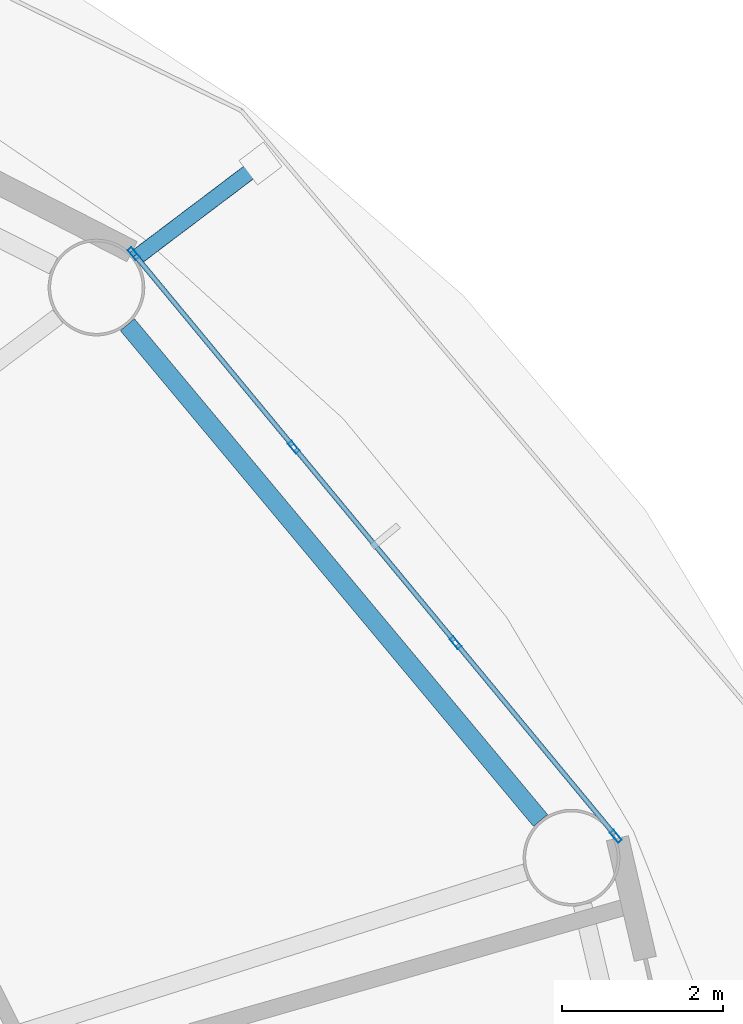
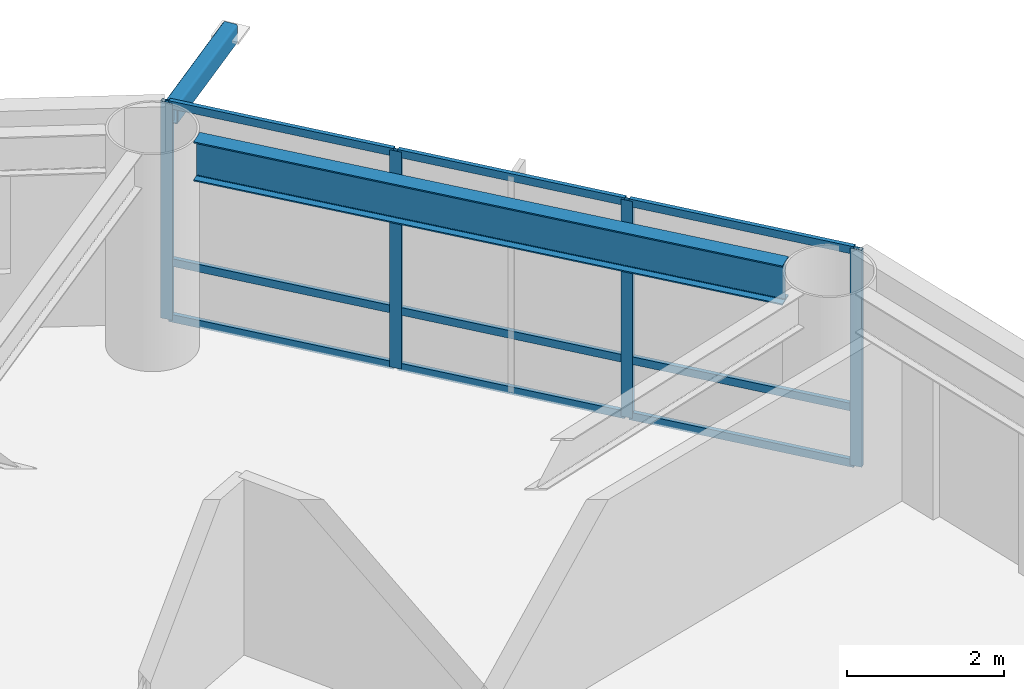
# One storey, part 12 of 24: 14 members, 1 beam, 1 element without a shape of its own.
"""IFC4 building model written with IfcOpenShell, lengths in metres."""

from ifc_helpers import new_model, si_unit, direction, frame, origin, origin_2d, place, context, subcontext, project, spatial, hollow_rectangle, i_section, extrude, material, layer, layer_set, material_profile, profile_set, type_object, element, aggregate, save


model = new_model("IFC4")

# Units and contexts
model_context = context("Model", 3, precision=1e-05, world=origin(), true_north=direction((0.0, 1.0)))
body_context = subcontext(model_context, "Body", "Model", "MODEL_VIEW")
ifc_project = project(units=[si_unit("LENGTHUNIT", "METRE"), si_unit("AREAUNIT", "SQUARE_METRE"), si_unit("VOLUMEUNIT", "CUBIC_METRE"), si_unit("PLANEANGLEUNIT", "RADIAN"), si_unit("MASSUNIT", "GRAM", prefix="KILO")], contexts=[model_context])

# Site, building, storey
site_placement = place(None, origin())
site = spatial("IfcSite", under=ifc_project, at=site_placement, CompositionType="ELEMENT")
building_placement = place(site_placement, origin())
building = spatial("IfcBuilding", under=site, at=building_placement, Name="Sarneth Arch Tower", CompositionType="ELEMENT")
storey_placement = place(building_placement, frame((0.0, 0.0, 98.39990234375)))
storey = spatial("IfcBuildingStorey", under=building, at=storey_placement, Name="L24", CompositionType="ELEMENT", Elevation=98.39990234375)

# Beam
ifc_material_1 = material(Name="Steel S355", Category="steel")
ifc_material_profile_1 = material_profile(ifc_material_1, i_section(OverallWidth=0.22900390625, OverallDepth=0.612060546875, WebThickness=0.011962890625, FlangeThickness=0.01953125, FilletRadius=0.01904296875, at=origin_2d()), Name="W610x125")
ifc_profile_set_1 = profile_set([ifc_material_profile_1], Name="Steel S355")
beam_type = type_object("IfcBeamType", Name="BM-SPAN-610C", PredefinedType="SPANDREL", material=ifc_profile_set_1)
beam_placement = place(storey_placement, frame((73.906982421875, 50.803466796875, 3.07421875), z_axis=(-0.640163403463, 0.768238775946, 0.0), x_axis=(-0.768238775946, -0.640163403463, 0.0)))
element("IfcBeam", 1, at=beam_placement, inside=storey, type_object=beam_type, Name="L24 Perimeter spandrel beam 02", PredefinedType="SPANDREL", context=body_context, shape_type="SweptSolid", body=[
    extrude(i_section(OverallWidth=0.22900390625, OverallDepth=0.612060546875, WebThickness=0.011962890625, FlangeThickness=0.01953125, FilletRadius=0.01904296875, at=origin_2d()), origin(), (0.0, 0.0, 1.0), 8.006103515625),
])

# Curtain wall, members
ifc_material_2 = material(Name="Anodised aluminium Type AA25 and solar-control low-e laminated IGU", Category="aluminium")
ifc_layer = layer(ifc_material_2, 0.159912109375)
ifc_layer_set = layer_set([ifc_layer], Name="Anodised aluminium Type AA25 and solar-control low-e laminated IGU")
curtain_wall_type = type_object("IfcCurtainWallType", Name="CW-HOTEL-MID", PredefinedType="NOTDEFINED", material=ifc_layer_set)
curtain_wall_placement = place(storey_placement, origin())
curtain_wall = element("IfcCurtainWall", 2, at=curtain_wall_placement, inside=storey, type_object=curtain_wall_type, Name="L24 Unitised curtain wall facet 02", PredefinedType="NOTDEFINED")
ifc_material_3 = material(Name="Anodised Aluminium 6063-T6", Category="aluminium")
ifc_material_profile_2 = material_profile(ifc_material_3, hollow_rectangle(XDim=0.06005859375, YDim=0.159912109375, WallThickness=0.00390625, at=origin_2d()), Name="AL-MULL-160x60x4")
ifc_profile_set_2 = profile_set([ifc_material_profile_2], Name="Anodised Aluminium 6063-T6")
member_type_1 = type_object("IfcMemberType", Name="CW-MULLION", PredefinedType="MULLION", material=ifc_profile_set_2)
member_1_placement = place(storey_placement, frame((74.84228515625, 50.606689453125, 0.0), z_axis=(0.0, 0.0, 1.0), x_axis=(-0.770437787363, -0.637515188684, 0.0)))
member_1 = element("IfcMember", 3, at=member_1_placement, type_object=member_type_1, Name="CW-SYS-4 mullion 1", PredefinedType="MULLION", context=body_context, shape_type="SweptSolid", body=[
    extrude(hollow_rectangle(XDim=0.06005859375, YDim=0.159912109375, WallThickness=0.00390625, at=origin_2d()), origin(), (0.0, 0.0, 1.0), 3.380126953125),
])
member_2_placement = place(storey_placement, frame((72.854248046875, 53.00927734375, 0.0), z_axis=(0.0, 0.0, 1.0), x_axis=(-0.770437787363, -0.637515188684, 0.0)))
member_2 = element("IfcMember", 4, at=member_2_placement, type_object=member_type_1, Name="CW-SYS-4 mullion 2", PredefinedType="MULLION", context=body_context, shape_type="SweptSolid", body=[
    extrude(hollow_rectangle(XDim=0.06005859375, YDim=0.159912109375, WallThickness=0.00390625, at=origin_2d()), origin(), (0.0, 0.0, 1.0), 3.380126953125),
])
member_3_placement = place(storey_placement, frame((70.84716796875, 55.434814453125, 0.0), z_axis=(0.0, 0.0, 1.0), x_axis=(-0.770437787363, -0.637515188684, 0.0)))
member_3 = element("IfcMember", 5, at=member_3_placement, type_object=member_type_1, Name="CW-SYS-4 mullion 3", PredefinedType="MULLION", context=body_context, shape_type="SweptSolid", body=[
    extrude(hollow_rectangle(XDim=0.06005859375, YDim=0.159912109375, WallThickness=0.00390625, at=origin_2d()), origin(), (0.0, 0.0, 1.0), 3.380126953125),
])
member_4_placement = place(storey_placement, frame((68.859130859375, 57.83740234375, 0.0), z_axis=(0.0, 0.0, 1.0), x_axis=(-0.770437787363, -0.637515188684, 0.0)))
member_4 = element("IfcMember", 6, at=member_4_placement, type_object=member_type_1, Name="CW-SYS-4 mullion 4", PredefinedType="MULLION", context=body_context, shape_type="SweptSolid", body=[
    extrude(hollow_rectangle(XDim=0.06005859375, YDim=0.159912109375, WallThickness=0.00390625, at=origin_2d()), origin(), (0.0, 0.0, 1.0), 3.380126953125),
])
ifc_material_4 = material(Name="Anodised Aluminium 6063-T6", Category="aluminium")
ifc_material_profile_3 = material_profile(ifc_material_4, hollow_rectangle(XDim=0.06005859375, YDim=0.1201171875, WallThickness=0.00390625, at=origin_2d()), Name="AL-TRAN-120x60x4")
ifc_profile_set_3 = profile_set([ifc_material_profile_3], Name="Anodised Aluminium 6063-T6")
member_type_2 = type_object("IfcMemberType", Name="CW-TRANSOM", PredefinedType="USERDEFINED", material=ifc_profile_set_3)
member_5_placement = place(storey_placement, frame((74.8232421875, 50.6298828125, 0.030029296875), z_axis=(-0.637566080343, 0.770395673142, 0.0), x_axis=(-0.770395673142, -0.637566080343, 0.0)))
member_5 = element("IfcMember", 7, at=member_5_placement, type_object=member_type_2, Name="CW-SYS-4 transom 1.1", ObjectType="TRANSOM", PredefinedType="USERDEFINED", context=body_context, shape_type="SweptSolid", body=[
    extrude(hollow_rectangle(XDim=0.06005859375, YDim=0.1201171875, WallThickness=0.00390625, at=origin_2d()), origin(), (0.0, 0.0, 1.0), 3.058349609375),
])
member_6_placement = place(storey_placement, frame((74.8232421875, 50.6298828125, 0.900146484375), z_axis=(-0.637566080343, 0.770395673142, 0.0), x_axis=(-0.770395673142, -0.637566080343, 0.0)))
member_6 = element("IfcMember", 8, at=member_6_placement, type_object=member_type_2, Name="CW-SYS-4 transom 1.2", ObjectType="TRANSOM", PredefinedType="USERDEFINED", context=body_context, shape_type="SweptSolid", body=[
    extrude(hollow_rectangle(XDim=0.06005859375, YDim=0.1201171875, WallThickness=0.00390625, at=origin_2d()), origin(), (0.0, 0.0, 1.0), 3.058349609375),
])
member_7_placement = place(storey_placement, frame((74.8232421875, 50.6298828125, 3.35009765625), z_axis=(-0.637566080343, 0.770395673142, 0.0), x_axis=(-0.770395673142, -0.637566080343, 0.0)))
member_7 = element("IfcMember", 9, at=member_7_placement, type_object=member_type_2, Name="CW-SYS-4 transom 1.3", ObjectType="TRANSOM", PredefinedType="USERDEFINED", context=body_context, shape_type="SweptSolid", body=[
    extrude(hollow_rectangle(XDim=0.06005859375, YDim=0.1201171875, WallThickness=0.00390625, at=origin_2d()), origin(), (0.0, 0.0, 1.0), 3.058349609375),
])
member_8_placement = place(storey_placement, frame((72.835205078125, 53.0322265625, 0.030029296875), z_axis=(-0.637536975021, 0.770419759275, 0.0), x_axis=(-0.770419759275, -0.637536975021, 0.0)))
member_8 = element("IfcMember", 10, at=member_8_placement, type_object=member_type_2, Name="CW-SYS-4 transom 2.1", ObjectType="TRANSOM", PredefinedType="USERDEFINED", context=body_context, shape_type="SweptSolid", body=[
    extrude(hollow_rectangle(XDim=0.06005859375, YDim=0.1201171875, WallThickness=0.00390625, at=origin_2d()), origin(), (0.0, 0.0, 1.0), 3.08837890625),
])
member_9_placement = place(storey_placement, frame((72.835205078125, 53.0322265625, 0.900146484375), z_axis=(-0.637536975021, 0.770419759275, 0.0), x_axis=(-0.770419759275, -0.637536975021, 0.0)))
member_9 = element("IfcMember", 11, at=member_9_placement, type_object=member_type_2, Name="CW-SYS-4 transom 2.2", ObjectType="TRANSOM", PredefinedType="USERDEFINED", context=body_context, shape_type="SweptSolid", body=[
    extrude(hollow_rectangle(XDim=0.06005859375, YDim=0.1201171875, WallThickness=0.00390625, at=origin_2d()), origin(), (0.0, 0.0, 1.0), 3.08837890625),
])
member_10_placement = place(storey_placement, frame((72.835205078125, 53.0322265625, 3.35009765625), z_axis=(-0.637536975021, 0.770419759275, 0.0), x_axis=(-0.770419759275, -0.637536975021, 0.0)))
member_10 = element("IfcMember", 12, at=member_10_placement, type_object=member_type_2, Name="CW-SYS-4 transom 2.3", ObjectType="TRANSOM", PredefinedType="USERDEFINED", context=body_context, shape_type="SweptSolid", body=[
    extrude(hollow_rectangle(XDim=0.06005859375, YDim=0.1201171875, WallThickness=0.00390625, at=origin_2d()), origin(), (0.0, 0.0, 1.0), 3.08837890625),
])
member_11_placement = place(storey_placement, frame((70.828125, 55.4580078125, 0.030029296875), z_axis=(-0.637566080343, 0.770395673142, 0.0), x_axis=(-0.770395673142, -0.637566080343, 0.0)))
member_11 = element("IfcMember", 13, at=member_11_placement, type_object=member_type_2, Name="CW-SYS-4 transom 3.1", ObjectType="TRANSOM", PredefinedType="USERDEFINED", context=body_context, shape_type="SweptSolid", body=[
    extrude(hollow_rectangle(XDim=0.06005859375, YDim=0.1201171875, WallThickness=0.00390625, at=origin_2d()), origin(), (0.0, 0.0, 1.0), 3.058349609375),
])
member_12_placement = place(storey_placement, frame((70.828125, 55.4580078125, 0.900146484375), z_axis=(-0.637566080343, 0.770395673142, 0.0), x_axis=(-0.770395673142, -0.637566080343, 0.0)))
member_12 = element("IfcMember", 14, at=member_12_placement, type_object=member_type_2, Name="CW-SYS-4 transom 3.2", ObjectType="TRANSOM", PredefinedType="USERDEFINED", context=body_context, shape_type="SweptSolid", body=[
    extrude(hollow_rectangle(XDim=0.06005859375, YDim=0.1201171875, WallThickness=0.00390625, at=origin_2d()), origin(), (0.0, 0.0, 1.0), 3.058349609375),
])
member_13_placement = place(storey_placement, frame((70.828125, 55.4580078125, 3.35009765625), z_axis=(-0.637566080343, 0.770395673142, 0.0), x_axis=(-0.770395673142, -0.637566080343, 0.0)))
member_13 = element("IfcMember", 15, at=member_13_placement, type_object=member_type_2, Name="CW-SYS-4 transom 3.3", ObjectType="TRANSOM", PredefinedType="USERDEFINED", context=body_context, shape_type="SweptSolid", body=[
    extrude(hollow_rectangle(XDim=0.06005859375, YDim=0.1201171875, WallThickness=0.00390625, at=origin_2d()), origin(), (0.0, 0.0, 1.0), 3.058349609375),
])
aggregate(curtain_wall, [member_1, member_2, member_3, member_4, member_5, member_6, member_7, member_8, member_9, member_10, member_11, member_12, member_13])

# Member
ifc_material_5 = material(Name="Steel S355", Category="steel")
ifc_material_profile_4 = material_profile(ifc_material_5, hollow_rectangle(XDim=0.199951171875, YDim=0.300048828125, WallThickness=0.012451171875, InnerFilletRadius=0.018798828125, OuterFilletRadius=0.03125, at=origin_2d()), Name="RHS300x200x12.5")
ifc_profile_set_4 = profile_set([ifc_material_profile_4], Name="Steel S355")
member_type_3 = type_object("IfcMemberType", Name="MEM-CANT-STRUT", PredefinedType="STRUT", material=ifc_profile_set_4)
member_14_placement = place(storey_placement, frame((68.876220703125, 57.776611328125, 3.22021484375), z_axis=(0.79780314413, 0.602918023629, 0.0), x_axis=(-0.602918023629, 0.79780314413, 0.0)))
element("IfcMember", 16, at=member_14_placement, inside=storey, type_object=member_type_3, Name="L24 Balcony cantilever bracket 03", PredefinedType="STRUT", context=body_context, shape_type="SweptSolid", body=[
    extrude(hollow_rectangle(XDim=0.199951171875, YDim=0.300048828125, WallThickness=0.012451171875, InnerFilletRadius=0.018798828125, OuterFilletRadius=0.03125, at=origin_2d()), origin(), (0.0, 0.0, 1.0), 1.95166015625),
])

save(model, "model.ifc")
